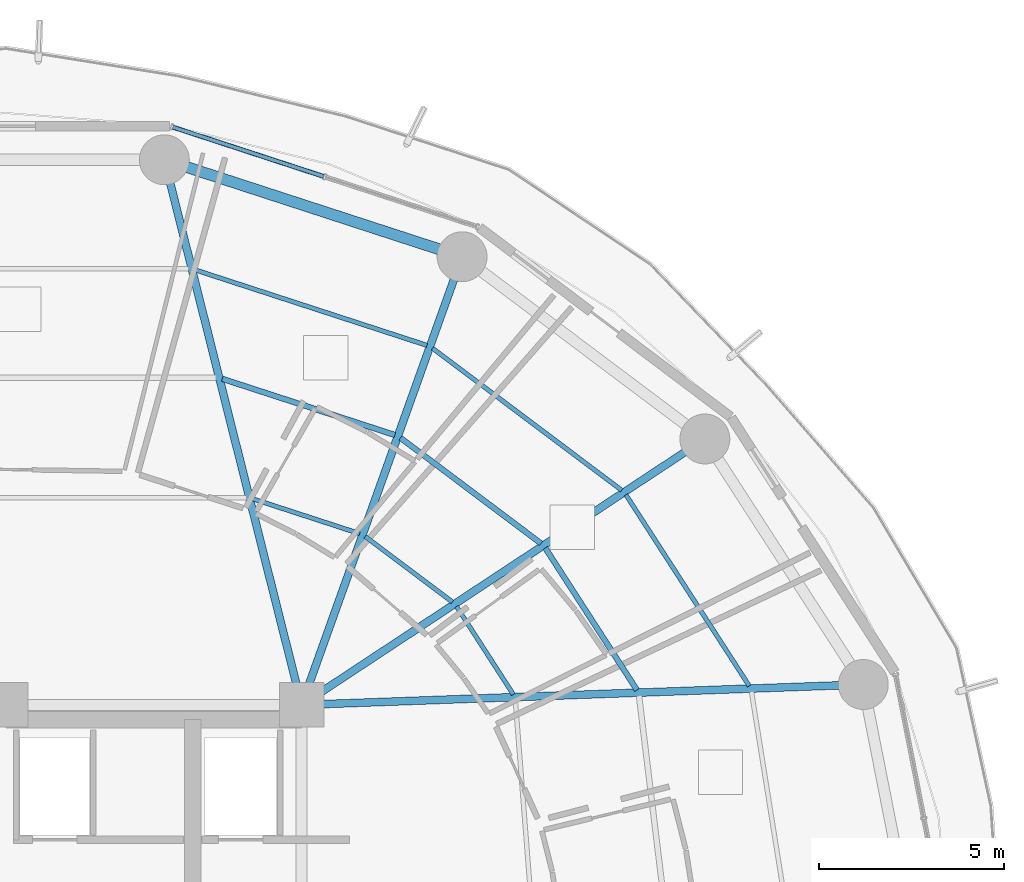
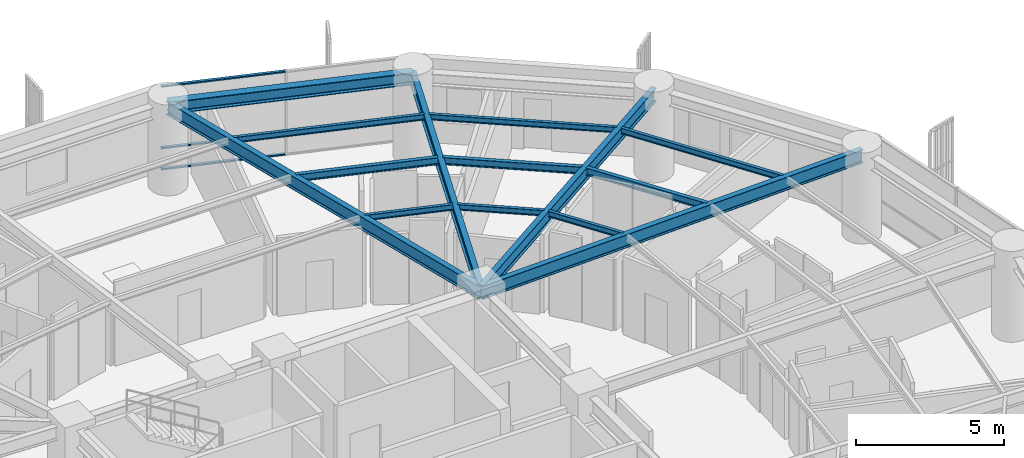
# One storey, part 24 of 36: 14 beams, 3 members, 1 element without a shape of its own.
"""IFC4 building model written with IfcOpenShell, lengths in metres."""

from ifc_helpers import new_model, si_unit, direction, frame, origin, origin_2d, place, context, subcontext, project, spatial, hollow_rectangle, i_section, extrude, material, layer, layer_set, material_profile, profile_set, type_object, element, aggregate, save


model = new_model("IFC4")

# Units and contexts
model_context = context("Model", 3, precision=1e-05, world=origin(), true_north=direction((0.0, 1.0)))
body_context = subcontext(model_context, "Body", "Model", "MODEL_VIEW")
ifc_project = project(units=[si_unit("LENGTHUNIT", "METRE"), si_unit("AREAUNIT", "SQUARE_METRE"), si_unit("VOLUMEUNIT", "CUBIC_METRE"), si_unit("PLANEANGLEUNIT", "RADIAN"), si_unit("MASSUNIT", "GRAM", prefix="KILO")], contexts=[model_context])

# Site, building, storey
site_placement = place(None, origin())
site = spatial("IfcSite", under=ifc_project, at=site_placement, CompositionType="ELEMENT")
building_placement = place(site_placement, origin())
building = spatial("IfcBuilding", under=site, at=building_placement, Name="Kelanora Arch Commons", CompositionType="ELEMENT")
storey_placement = place(building_placement, frame((0.0, 0.0, 102.60009765625)))
storey = spatial("IfcBuildingStorey", under=building, at=storey_placement, Name="L26", CompositionType="ELEMENT", Elevation=102.60009765625)

# Beams
ifc_material_1 = material(Name="Steel S355", Category="steel")
ifc_material_profile_1 = material_profile(ifc_material_1, i_section(OverallWidth=0.14990234375, OverallDepth=0.300048828125, WebThickness=0.007080078125, FlangeThickness=0.0107421875, FilletRadius=0.014892578125, at=origin_2d()), Name="IPE300")
ifc_profile_set_1 = profile_set([ifc_material_profile_1], Name="Steel S355")
beam_type_1 = type_object("IfcBeamType", Name="BM-JST-01", PredefinedType="JOIST", material=ifc_profile_set_1)
beam_1_placement = place(storey_placement, frame((91.06884765625, 65.402587890625, 3.33984375), z_axis=(-0.542230243286, 0.840229946661, 0.0), x_axis=(-0.840229946661, -0.542230243286, 0.0)))
element("IfcBeam", 1, at=beam_1_placement, inside=storey, type_object=beam_type_1, Name="Secondary Chord Joist BJB-02 L26", PredefinedType="JOIST", context=body_context, shape_type="SweptSolid", body=[
    extrude(i_section(OverallWidth=0.14990234375, OverallDepth=0.300048828125, WebThickness=0.007080078125, FlangeThickness=0.0107421875, FilletRadius=0.014892578125, at=origin_2d()), origin(), (0.0, 0.0, 1.0), 4.572265625),
])
beam_2_placement = place(storey_placement, frame((88.4755859375, 69.36669921875, 3.33984375), z_axis=(-0.79971039107, 0.600385951214, 0.0), x_axis=(-0.600385951214, -0.79971039107, 0.0)))
element("IfcBeam", 2, at=beam_2_placement, inside=storey, type_object=beam_type_1, Name="Secondary Chord Joist BJB-04 L26", PredefinedType="JOIST", context=body_context, shape_type="SweptSolid", body=[
    extrude(i_section(OverallWidth=0.14990234375, OverallDepth=0.300048828125, WebThickness=0.007080078125, FlangeThickness=0.0107421875, FilletRadius=0.014892578125, at=origin_2d()), origin(), (0.0, 0.0, 1.0), 4.756103515625),
])
beam_3_placement = place(storey_placement, frame((84.523193359375, 72.29931640625, 3.33984375), z_axis=(-0.950857140254, 0.309629938521, 0.0), x_axis=(-0.309629938521, -0.950857140254, 0.0)))
element("IfcBeam", 3, at=beam_3_placement, inside=storey, type_object=beam_type_1, Name="Secondary Chord Joist BJB-06 L26", PredefinedType="JOIST", context=body_context, shape_type="SweptSolid", body=[
    extrude(i_section(OverallWidth=0.14990234375, OverallDepth=0.300048828125, WebThickness=0.007080078125, FlangeThickness=0.0107421875, FilletRadius=0.014892578125, at=origin_2d()), origin(), (0.0, 0.0, 1.0), 4.912353515625),
])
ifc_material_profile_2 = material_profile(ifc_material_1, i_section(OverallWidth=0.1201171875, OverallDepth=0.239990234375, WebThickness=0.006103515625, FlangeThickness=0.009765625, FilletRadius=0.014892578125, at=origin_2d()), Name="IPE240")
ifc_profile_set_2 = profile_set([ifc_material_profile_2], Name="Steel S355")
beam_type_2 = type_object("IfcBeamType", Name="BM-JST-02", PredefinedType="JOIST", material=ifc_profile_set_2)
beam_4_placement = place(storey_placement, frame((87.726806640625, 65.281005859375, 3.369873046875), z_axis=(-0.542211255502, 0.840242199849, 0.0), x_axis=(-0.840242199849, -0.542211255502, 0.0)))
element("IfcBeam", 4, at=beam_4_placement, inside=storey, type_object=beam_type_2, Name="Secondary Chord Joist BJA-02 L26", PredefinedType="JOIST", context=body_context, shape_type="SweptSolid", body=[
    extrude(i_section(OverallWidth=0.1201171875, OverallDepth=0.239990234375, WebThickness=0.006103515625, FlangeThickness=0.009765625, FilletRadius=0.014892578125, at=origin_2d()), origin(), (0.0, 0.0, 1.0), 2.83349609375),
])
beam_5_placement = place(storey_placement, frame((94.107177734375, 65.512939453125, 3.369873046875), z_axis=(-0.542212726273, 0.840241250754, 0.0), x_axis=(-0.840241250754, -0.542212726273, 0.0)))
element("IfcBeam", 5, at=beam_5_placement, inside=storey, type_object=beam_type_2, Name="Secondary Chord Joist BJC-02 L26", PredefinedType="JOIST", context=body_context, shape_type="SweptSolid", body=[
    extrude(i_section(OverallWidth=0.1201171875, OverallDepth=0.239990234375, WebThickness=0.006103515625, FlangeThickness=0.009765625, FilletRadius=0.014892578125, at=origin_2d()), origin(), (0.0, 0.0, 1.0), 6.15283203125),
])
beam_6_placement = place(storey_placement, frame((86.076416015625, 67.7841796875, 3.369873046875), z_axis=(-0.799692034361, 0.600410401458, 0.0), x_axis=(-0.600410401458, -0.799692034361, 0.0)))
element("IfcBeam", 6, at=beam_6_placement, inside=storey, type_object=beam_type_2, Name="Secondary Chord Joist BJA-04 L26", PredefinedType="JOIST", context=body_context, shape_type="SweptSolid", body=[
    extrude(i_section(OverallWidth=0.1201171875, OverallDepth=0.239990234375, WebThickness=0.006103515625, FlangeThickness=0.009765625, FilletRadius=0.014892578125, at=origin_2d()), origin(), (0.0, 0.0, 1.0), 2.949951171875),
])
beam_7_placement = place(storey_placement, frame((90.65673828125, 70.805419921875, 3.369873046875), z_axis=(-0.799734335646, 0.600354055861, 0.0), x_axis=(-0.600354055861, -0.799734335646, 0.0)))
element("IfcBeam", 7, at=beam_7_placement, inside=storey, type_object=beam_type_2, Name="Secondary Chord Joist BJC-04 L26", PredefinedType="JOIST", context=body_context, shape_type="SweptSolid", body=[
    extrude(i_section(OverallWidth=0.1201171875, OverallDepth=0.239990234375, WebThickness=0.006103515625, FlangeThickness=0.009765625, FilletRadius=0.014892578125, at=origin_2d()), origin(), (0.0, 0.0, 1.0), 6.39794921875),
])
beam_8_placement = place(storey_placement, frame((83.568359375, 69.632568359375, 3.369873046875), z_axis=(-0.950846758946, 0.309661817151, 0.0), x_axis=(-0.309661817151, -0.950846758946, 0.0)))
element("IfcBeam", 8, at=beam_8_placement, inside=storey, type_object=beam_type_2, Name="Secondary Chord Joist BJA-06 L26", PredefinedType="JOIST", context=body_context, shape_type="SweptSolid", body=[
    extrude(i_section(OverallWidth=0.1201171875, OverallDepth=0.239990234375, WebThickness=0.006103515625, FlangeThickness=0.009765625, FilletRadius=0.014892578125, at=origin_2d()), origin(), (0.0, 0.0, 1.0), 3.048828125),
])
beam_9_placement = place(storey_placement, frame((85.39111328125, 74.723876953125, 3.369873046875), z_axis=(-0.950862829272, 0.309612467301, 0.0), x_axis=(-0.309612467301, -0.950862829272, 0.0)))
element("IfcBeam", 9, at=beam_9_placement, inside=storey, type_object=beam_type_2, Name="Secondary Chord Joist BJC-06 L26", PredefinedType="JOIST", context=body_context, shape_type="SweptSolid", body=[
    extrude(i_section(OverallWidth=0.1201171875, OverallDepth=0.239990234375, WebThickness=0.006103515625, FlangeThickness=0.009765625, FilletRadius=0.014892578125, at=origin_2d()), origin(), (0.0, 0.0, 1.0), 6.6064453125),
])
ifc_material_profile_3 = material_profile(ifc_material_1, i_section(OverallWidth=0.2099609375, OverallDepth=0.550048828125, WebThickness=0.010986328125, FlangeThickness=0.01708984375, FilletRadius=0.02392578125, at=origin_2d()), Name="IPE550")
ifc_profile_set_3 = profile_set([ifc_material_profile_3], Name="Steel S355")
beam_type_3 = type_object("IfcBeamType", Name="BM-RAD-Z2", PredefinedType="BEAM", material=ifc_profile_set_3)
beam_10_placement = place(storey_placement, frame((82.0, 65.0, 3.21484375), z_axis=(0.999341087625, 0.036295875581, 0.0), x_axis=(-0.036295875581, 0.999341087625, 0.0)))
element("IfcBeam", 10, at=beam_10_placement, inside=storey, type_object=beam_type_3, Name="Radial Floor Girder BR-02 L26", PredefinedType="BEAM", context=body_context, shape_type="SweptSolid", body=[
    extrude(i_section(OverallWidth=0.2099609375, OverallDepth=0.550048828125, WebThickness=0.010986328125, FlangeThickness=0.01708984375, FilletRadius=0.02392578125, at=origin_2d()), origin(), (0.0, 0.0, 1.0), 15.20166015625),
])
beam_11_placement = place(storey_placement, frame((82.0, 65.0, 3.21484375), z_axis=(0.834788577908, 0.550570640512, 0.0), x_axis=(-0.550570640512, 0.834788577908, 0.0)))
element("IfcBeam", 11, at=beam_11_placement, inside=storey, type_object=beam_type_3, Name="Radial Floor Girder BR-04 L26", PredefinedType="BEAM", context=body_context, shape_type="SweptSolid", body=[
    extrude(i_section(OverallWidth=0.2099609375, OverallDepth=0.550048828125, WebThickness=0.010986328125, FlangeThickness=0.01708984375, FilletRadius=0.02392578125, at=origin_2d()), origin(), (0.0, 0.0, 1.0), 13.064453125),
])
beam_12_placement = place(storey_placement, frame((82.0, 65.0, 3.21484375), z_axis=(0.337084640008, 0.941474346687, 0.0), x_axis=(-0.941474346687, 0.337084640008, 0.0)))
element("IfcBeam", 12, at=beam_12_placement, inside=storey, type_object=beam_type_3, Name="Radial Floor Girder BR-06 L26", PredefinedType="BEAM", context=body_context, shape_type="SweptSolid", body=[
    extrude(i_section(OverallWidth=0.2099609375, OverallDepth=0.550048828125, WebThickness=0.010986328125, FlangeThickness=0.01708984375, FilletRadius=0.02392578125, at=origin_2d()), origin(), (0.0, 0.0, 1.0), 12.875244140625),
])
beam_13_placement = place(storey_placement, frame((82.0, 65.0, 3.21484375), z_axis=(-0.244280647475, 0.969704576286, 0.0), x_axis=(-0.969704576286, -0.244280647475, 0.0)))
element("IfcBeam", 13, at=beam_13_placement, inside=storey, type_object=beam_type_3, Name="Radial Floor Girder BR-08 L26", PredefinedType="BEAM", context=body_context, shape_type="SweptSolid", body=[
    extrude(i_section(OverallWidth=0.2099609375, OverallDepth=0.550048828125, WebThickness=0.010986328125, FlangeThickness=0.01708984375, FilletRadius=0.02392578125, at=origin_2d()), origin(), (0.0, 0.0, 1.0), 15.205322265625),
])
ifc_material_profile_4 = material_profile(ifc_material_1, i_section(OverallWidth=0.300048828125, OverallDepth=0.5, WebThickness=0.014404296875, FlangeThickness=0.028076171875, FilletRadius=0.027099609375, at=origin_2d()), Name="HEB500")
ifc_profile_set_4 = profile_set([ifc_material_profile_4], Name="Steel S355")
beam_type_4 = type_object("IfcBeamType", Name="BM-SPN-Z2", PredefinedType="SPANDREL", material=ifc_profile_set_4)
beam_14_placement = place(storey_placement, frame((86.340087890625, 77.121826171875, 3.239990234375), z_axis=(-0.950856631974, 0.309631499418, 0.0), x_axis=(-0.309631499418, -0.950856631974, 0.0)))
element("IfcBeam", 14, at=beam_14_placement, inside=storey, type_object=beam_type_4, Name="Perimeter Spandrel Beam BS-06 L26", PredefinedType="SPANDREL", context=body_context, shape_type="SweptSolid", body=[
    extrude(i_section(OverallWidth=0.300048828125, OverallDepth=0.5, WebThickness=0.014404296875, FlangeThickness=0.028076171875, FilletRadius=0.027099609375, at=origin_2d()), origin(), (0.0, 0.0, 1.0), 8.470703125),
])

# Curtain wall, members
ifc_material_2 = material(Name="Terracotta ceramic-fritted low-E glass and aluminium", Category="masonry")
ifc_layer = layer(ifc_material_2, 0.159912109375)
ifc_layer_set = layer_set([ifc_layer], Name="Terracotta ceramic-fritted low-E glass and aluminium")
curtain_wall_type = type_object("IfcCurtainWallType", Name="CW-SYS-01", PredefinedType="NOTDEFINED", material=ifc_layer_set)
curtain_wall_placement = place(storey_placement, origin())
curtain_wall = element("IfcCurtainWall", 15, at=curtain_wall_placement, inside=storey, type_object=curtain_wall_type, Name="Unitised Curtain Wall L26-B03", PredefinedType="NOTDEFINED")
ifc_material_3 = material(Name="Powder-coated aluminium terracotta", Category="masonry")
ifc_material_profile_5 = material_profile(ifc_material_3, hollow_rectangle(XDim=0.1201171875, YDim=0.06005859375, WallThickness=0.0048828125, InnerFilletRadius=0.0048828125, OuterFilletRadius=0.010009765625, at=origin_2d()), Name="CWT120x60")
ifc_profile_set_5 = profile_set([ifc_material_profile_5], Name="Powder-coated aluminium terracotta")
member_type = type_object("IfcMemberType", Name="CWT-STD", PredefinedType="USERDEFINED", material=ifc_profile_set_5)
member_1_placement = place(storey_placement, frame((82.59423828125, 79.2939453125, 0.02978515625), z_axis=(-0.950477544745, 0.31079323824, 0.0), x_axis=(-0.31079323824, -0.950477544745, 0.0)))
member_1 = element("IfcMember", 16, at=member_1_placement, type_object=member_type, Name="CW-01 transom 2.1", ObjectType="TRANSOM", PredefinedType="USERDEFINED", context=body_context, shape_type="SweptSolid", body=[
    extrude(hollow_rectangle(XDim=0.1201171875, YDim=0.06005859375, WallThickness=0.0048828125, InnerFilletRadius=0.0048828125, OuterFilletRadius=0.010009765625, at=origin_2d()), origin(), (0.0, 0.0, 1.0), 4.289794921875),
])
member_2_placement = place(storey_placement, frame((82.59423828125, 79.2939453125, 0.89990234375), z_axis=(-0.950477544745, 0.31079323824, 0.0), x_axis=(-0.31079323824, -0.950477544745, 0.0)))
member_2 = element("IfcMember", 17, at=member_2_placement, type_object=member_type, Name="CW-01 transom 2.2", ObjectType="TRANSOM", PredefinedType="USERDEFINED", context=body_context, shape_type="SweptSolid", body=[
    extrude(hollow_rectangle(XDim=0.1201171875, YDim=0.06005859375, WallThickness=0.0048828125, InnerFilletRadius=0.0048828125, OuterFilletRadius=0.010009765625, at=origin_2d()), origin(), (0.0, 0.0, 1.0), 4.289794921875),
])
member_3_placement = place(storey_placement, frame((82.59423828125, 79.2939453125, 3.44482421875), z_axis=(-0.950477544745, 0.31079323824, 0.0), x_axis=(-0.31079323824, -0.950477544745, 0.0)))
member_3 = element("IfcMember", 18, at=member_3_placement, type_object=member_type, Name="CW-01 transom 2.3", ObjectType="TRANSOM", PredefinedType="USERDEFINED", context=body_context, shape_type="SweptSolid", body=[
    extrude(hollow_rectangle(XDim=0.1201171875, YDim=0.06005859375, WallThickness=0.0048828125, InnerFilletRadius=0.0048828125, OuterFilletRadius=0.010009765625, at=origin_2d()), origin(), (0.0, 0.0, 1.0), 4.289794921875),
])
aggregate(curtain_wall, [member_1, member_2, member_3])

save(model, "model.ifc")
